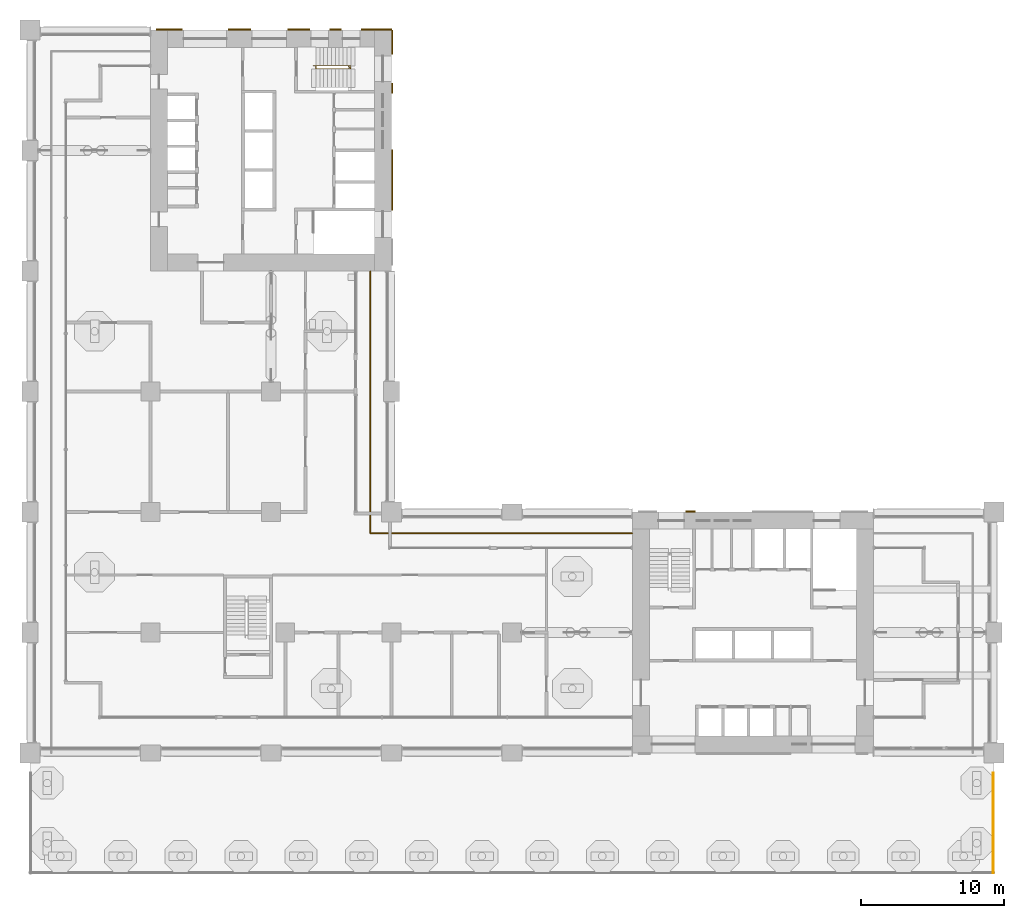
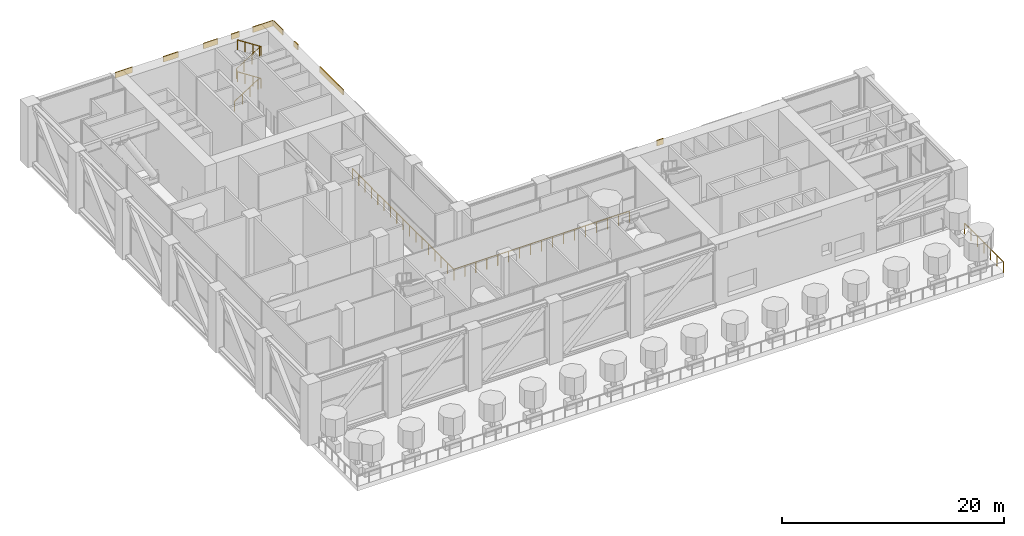
# One storey, part 24 of 28: 9 shading devices, 3 railings.
"""IFC4 building model written with IfcOpenShell, lengths in metres."""

from ifc_helpers import new_model, si_unit, direction, frame, origin, origin_2d, place, context, subcontext, project, spatial, rectangle, circle, extrude, material, layer, layer_set, type_object, element, save


model = new_model("IFC4")

# Units and contexts
model_context = context("Model", 3, precision=1e-05, world=origin(), true_north=direction((0.0, 1.0)))
body_context = subcontext(model_context, "Body", "Model", "MODEL_VIEW")
ifc_project = project(units=[si_unit("LENGTHUNIT", "METRE"), si_unit("AREAUNIT", "SQUARE_METRE"), si_unit("VOLUMEUNIT", "CUBIC_METRE"), si_unit("PLANEANGLEUNIT", "RADIAN"), si_unit("MASSUNIT", "GRAM", prefix="KILO")], contexts=[model_context])

# Site, building, storey
site_placement = place(None, origin())
site = spatial("IfcSite", under=ifc_project, at=site_placement, CompositionType="ELEMENT")
building_placement = place(site_placement, origin())
building = spatial("IfcBuilding", under=site, at=building_placement, Name="Vermilion Gate Residences", CompositionType="ELEMENT")
storey_placement = place(building_placement, frame((0.0, 0.0, 74.199951171875)))
storey = spatial("IfcBuildingStorey", under=building, at=storey_placement, Name="L18", CompositionType="ELEMENT", Elevation=74.199951171875)

# Railings
ifc_material_1 = material(Name="Stainless steel and toughened glass", Category="steel")
railing_type_1 = type_object("IfcRailingType", Name="LOGGIA GUARD STEEL AND GLASS 1200", PredefinedType="GUARDRAIL", material=ifc_material_1)
railing_1_placement = place(storey_placement, frame((41.97802734375, 23.72509765625, 0.0)))
element("IfcRailing", 1, at=railing_1_placement, inside=storey, type_object=railing_type_1, Name="Loggia guard", PredefinedType="GUARDRAIL", context=body_context, shape_type="SweptSolid", body=[
    extrude(circle(Radius=0.030029296875, at=origin_2d()), frame((0.0, 0.0, 1.169921875), z_axis=(-1.0, 0.0, 0.0), x_axis=(0.0, -1.0, 0.0)), (0.0, 0.0, 1.0), 18.2529296875),
    extrude(circle(Radius=0.030029296875, at=origin_2d()), frame((-18.2529296875, 0.0, 1.169921875), z_axis=(0.0, 1.0, 0.0), x_axis=(-1.0, 0.0, 0.0)), (0.0, 0.0, 1.0), 18.2529296875),
    extrude(circle(Radius=0.02490234375, at=origin_2d()), origin(), (0.0, 0.0, 1.0), 1.139892578125),
    extrude(circle(Radius=0.02490234375, at=origin_2d()), frame((-1.140869140625, 0.0, 0.0)), (0.0, 0.0, 1.0), 1.139892578125),
    extrude(circle(Radius=0.02490234375, at=origin_2d()), frame((-2.28173828125, 0.0, 0.0)), (0.0, 0.0, 1.0), 1.139892578125),
    extrude(circle(Radius=0.02490234375, at=origin_2d()), frame((-3.42236328125, 0.0, 0.0)), (0.0, 0.0, 1.0), 1.139892578125),
    extrude(circle(Radius=0.02490234375, at=origin_2d()), frame((-4.563232421875, 0.0, 0.0)), (0.0, 0.0, 1.0), 1.139892578125),
    extrude(circle(Radius=0.02490234375, at=origin_2d()), frame((-5.7041015625, 0.0, 0.0)), (0.0, 0.0, 1.0), 1.139892578125),
    extrude(circle(Radius=0.02490234375, at=origin_2d()), frame((-6.8447265625, 0.0, 0.0)), (0.0, 0.0, 1.0), 1.139892578125),
    extrude(circle(Radius=0.02490234375, at=origin_2d()), frame((-7.985595703125, 0.0, 0.0)), (0.0, 0.0, 1.0), 1.139892578125),
    extrude(circle(Radius=0.02490234375, at=origin_2d()), frame((-9.12646484375, 0.0, 0.0)), (0.0, 0.0, 1.0), 1.139892578125),
    extrude(circle(Radius=0.02490234375, at=origin_2d()), frame((-10.267333984375, 0.0, 0.0)), (0.0, 0.0, 1.0), 1.139892578125),
    extrude(circle(Radius=0.02490234375, at=origin_2d()), frame((-11.408203125, 0.0, 0.0)), (0.0, 0.0, 1.0), 1.139892578125),
    extrude(circle(Radius=0.02490234375, at=origin_2d()), frame((-12.548828125, 0.0, 0.0)), (0.0, 0.0, 1.0), 1.139892578125),
    extrude(circle(Radius=0.02490234375, at=origin_2d()), frame((-13.689697265625, 0.0, 0.0)), (0.0, 0.0, 1.0), 1.139892578125),
    extrude(circle(Radius=0.02490234375, at=origin_2d()), frame((-14.83056640625, 0.0, 0.0)), (0.0, 0.0, 1.0), 1.139892578125),
    extrude(circle(Radius=0.02490234375, at=origin_2d()), frame((-15.97119140625, 0.0, 0.0)), (0.0, 0.0, 1.0), 1.139892578125),
    extrude(circle(Radius=0.02490234375, at=origin_2d()), frame((-17.112060546875, 0.0, 0.0)), (0.0, 0.0, 1.0), 1.139892578125),
    extrude(circle(Radius=0.02490234375, at=origin_2d()), frame((-18.2529296875, 0.0, 0.0)), (0.0, 0.0, 1.0), 1.139892578125),
    extrude(circle(Radius=0.02490234375, at=origin_2d()), frame((-18.2529296875, 1.140869140625, 0.0)), (0.0, 0.0, 1.0), 1.139892578125),
    extrude(circle(Radius=0.02490234375, at=origin_2d()), frame((-18.2529296875, 2.28173828125, 0.0)), (0.0, 0.0, 1.0), 1.139892578125),
    extrude(circle(Radius=0.02490234375, at=origin_2d()), frame((-18.2529296875, 3.42236328125, 0.0)), (0.0, 0.0, 1.0), 1.139892578125),
    extrude(circle(Radius=0.02490234375, at=origin_2d()), frame((-18.2529296875, 4.563232421875, 0.0)), (0.0, 0.0, 1.0), 1.139892578125),
    extrude(circle(Radius=0.02490234375, at=origin_2d()), frame((-18.2529296875, 5.7041015625, 0.0)), (0.0, 0.0, 1.0), 1.139892578125),
    extrude(circle(Radius=0.02490234375, at=origin_2d()), frame((-18.2529296875, 6.8447265625, 0.0)), (0.0, 0.0, 1.0), 1.139892578125),
    extrude(circle(Radius=0.02490234375, at=origin_2d()), frame((-18.2529296875, 7.985595703125, 0.0)), (0.0, 0.0, 1.0), 1.139892578125),
    extrude(circle(Radius=0.02490234375, at=origin_2d()), frame((-18.2529296875, 9.12646484375, 0.0)), (0.0, 0.0, 1.0), 1.139892578125),
    extrude(circle(Radius=0.02490234375, at=origin_2d()), frame((-18.2529296875, 10.267333984375, 0.0)), (0.0, 0.0, 1.0), 1.139892578125),
    extrude(circle(Radius=0.02490234375, at=origin_2d()), frame((-18.2529296875, 11.408203125, 0.0)), (0.0, 0.0, 1.0), 1.139892578125),
    extrude(circle(Radius=0.02490234375, at=origin_2d()), frame((-18.2529296875, 12.548828125, 0.0)), (0.0, 0.0, 1.0), 1.139892578125),
    extrude(circle(Radius=0.02490234375, at=origin_2d()), frame((-18.2529296875, 13.689697265625, 0.0)), (0.0, 0.0, 1.0), 1.139892578125),
    extrude(circle(Radius=0.02490234375, at=origin_2d()), frame((-18.2529296875, 14.83056640625, 0.0)), (0.0, 0.0, 1.0), 1.139892578125),
    extrude(circle(Radius=0.02490234375, at=origin_2d()), frame((-18.2529296875, 15.97119140625, 0.0)), (0.0, 0.0, 1.0), 1.139892578125),
    extrude(circle(Radius=0.02490234375, at=origin_2d()), frame((-18.2529296875, 17.112060546875, 0.0)), (0.0, 0.0, 1.0), 1.139892578125),
    extrude(circle(Radius=0.02490234375, at=origin_2d()), frame((-18.2529296875, 18.2529296875, 0.0)), (0.0, 0.0, 1.0), 1.139892578125),
])
railing_2_placement = place(storey_placement, frame((67.14990234375, 0.02197265625, 0.0)))
element("IfcRailing", 2, at=railing_2_placement, inside=storey, type_object=railing_type_1, Name="Loggia guard", PredefinedType="GUARDRAIL", context=body_context, shape_type="SweptSolid", body=[
    extrude(circle(Radius=0.030029296875, at=origin_2d()), frame((0.0, 0.0, 1.169921875), z_axis=(0.0, 1.0, 0.0), x_axis=(-1.0, 0.0, 0.0)), (0.0, 0.0, 1.0), 6.98095703125),
    extrude(circle(Radius=0.02490234375, at=origin_2d()), origin(), (0.0, 0.0, 1.0), 1.139892578125),
    extrude(circle(Radius=0.02490234375, at=origin_2d()), frame((0.0, 1.16357421875, 0.0)), (0.0, 0.0, 1.0), 1.139892578125),
    extrude(circle(Radius=0.02490234375, at=origin_2d()), frame((0.0, 2.326904296875, 0.0)), (0.0, 0.0, 1.0), 1.139892578125),
    extrude(circle(Radius=0.02490234375, at=origin_2d()), frame((0.0, 3.490478515625, 0.0)), (0.0, 0.0, 1.0), 1.139892578125),
    extrude(circle(Radius=0.02490234375, at=origin_2d()), frame((0.0, 4.654052734375, 0.0)), (0.0, 0.0, 1.0), 1.139892578125),
    extrude(circle(Radius=0.02490234375, at=origin_2d()), frame((0.0, 5.8173828125, 0.0)), (0.0, 0.0, 1.0), 1.139892578125),
    extrude(circle(Radius=0.02490234375, at=origin_2d()), frame((0.0, 6.98095703125, 0.0)), (0.0, 0.0, 1.0), 1.139892578125),
])
ifc_material_2 = material(Name="Steel S355", Category="steel")
railing_type_2 = type_object("IfcRailingType", Name="STAIR GUARD 1100 STEEL", PredefinedType="GUARDRAIL", material=ifc_material_2)
railing_3_placement = place(storey_placement, frame((19.75, 56.300048828125, 0.175048828125)))
element("IfcRailing", 3, at=railing_3_placement, inside=storey, type_object=railing_type_2, Name="Stair well guard STB1-18", PredefinedType="GUARDRAIL", context=body_context, shape_type="SweptSolid", body=[
    extrude(circle(Radius=0.02392578125, at=origin_2d()), frame((0.0, 0.0, 1.076171875), z_axis=(0.839153699163, 0.0, 0.543894354798), x_axis=(0.0, 1.0, 0.0)), (0.0, 0.0, 1.0), 2.895751953125),
    extrude(circle(Radius=0.02392578125, at=origin_2d()), frame((2.429931640625, 0.0, 2.65087890625), z_axis=(0.561173083408, -0.622765251099, 0.545204743636), x_axis=(0.74288808428, 0.669415636384, 0.0)), (0.0, 0.0, 1.0), 0.321044921875),
    extrude(circle(Radius=0.02392578125, at=origin_2d()), frame((2.610107421875, -0.199951171875, 2.826171875), z_axis=(-0.839178637674, 0.0, 0.543855876194), x_axis=(0.0, -1.0, 0.0)), (0.0, 0.0, 1.0), 2.89599609375),
    extrude(circle(Radius=0.02392578125, at=origin_2d()), frame((0.179931640625, -0.199951171875, 4.40087890625), z_axis=(0.0, 0.752405939678, 0.658699705433), x_axis=(-1.0, 0.0, 0.0)), (0.0, 0.0, 1.0), 0.265869140625),
    extrude(circle(Radius=0.02392578125, at=origin_2d()), frame((0.179931640625, 0.0, 4.576171875), z_axis=(0.839178637674, 0.0, 0.543855876194), x_axis=(0.0, 1.0, 0.0)), (0.0, 0.0, 1.0), 2.89599609375),
    extrude(circle(Radius=0.02392578125, at=origin_2d()), frame((2.610107421875, 0.0, 6.15087890625), z_axis=(0.0, -0.752405939678, 0.658699705433), x_axis=(1.0, 0.0, 0.0)), (0.0, 0.0, 1.0), 0.265869140625),
    extrude(circle(Radius=0.02392578125, at=origin_2d()), frame((2.610107421875, -0.199951171875, 6.326171875), z_axis=(-0.839178637674, 0.0, 0.543855876194), x_axis=(0.0, -1.0, 0.0)), (0.0, 0.0, 1.0), 2.89599609375),
    extrude(circle(Radius=0.02099609375, at=origin_2d()), origin(), (0.0, 0.0, 1.0), 1.052001953125),
    extrude(circle(Radius=0.02099609375, at=origin_2d()), frame((0.81005859375, 0.0, 0.52490234375)), (0.0, 0.0, 1.0), 1.052001953125),
    extrude(circle(Radius=0.02099609375, at=origin_2d()), frame((1.619873046875, 0.0, 1.050048828125)), (0.0, 0.0, 1.0), 1.052001953125),
    extrude(circle(Radius=0.02099609375, at=origin_2d()), frame((2.429931640625, 0.0, 1.574951171875)), (0.0, 0.0, 1.0), 1.052001953125),
    extrude(circle(Radius=0.02099609375, at=origin_2d()), frame((2.610107421875, -0.199951171875, 1.75)), (0.0, 0.0, 1.0), 1.052001953125),
    extrude(circle(Radius=0.02099609375, at=origin_2d()), frame((1.800048828125, -0.199951171875, 2.27490234375)), (0.0, 0.0, 1.0), 1.052001953125),
    extrude(circle(Radius=0.02099609375, at=origin_2d()), frame((0.989990234375, -0.199951171875, 2.800048828125)), (0.0, 0.0, 1.0), 1.052001953125),
    extrude(circle(Radius=0.02099609375, at=origin_2d()), frame((0.179931640625, -0.199951171875, 3.324951171875)), (0.0, 0.0, 1.0), 1.052001953125),
    extrude(circle(Radius=0.02099609375, at=origin_2d()), frame((0.179931640625, 0.0, 3.5)), (0.0, 0.0, 1.0), 1.052001953125),
    extrude(circle(Radius=0.02099609375, at=origin_2d()), frame((0.989990234375, 0.0, 4.02490234375)), (0.0, 0.0, 1.0), 1.052001953125),
    extrude(circle(Radius=0.02099609375, at=origin_2d()), frame((1.800048828125, 0.0, 4.550048828125)), (0.0, 0.0, 1.0), 1.052001953125),
    extrude(circle(Radius=0.02099609375, at=origin_2d()), frame((2.610107421875, 0.0, 5.074951171875)), (0.0, 0.0, 1.0), 1.052001953125),
    extrude(circle(Radius=0.02099609375, at=origin_2d()), frame((2.610107421875, -0.199951171875, 5.25)), (0.0, 0.0, 1.0), 1.052001953125),
    extrude(circle(Radius=0.02099609375, at=origin_2d()), frame((1.800048828125, -0.199951171875, 5.77490234375)), (0.0, 0.0, 1.0), 1.052001953125),
    extrude(circle(Radius=0.02099609375, at=origin_2d()), frame((0.989990234375, -0.199951171875, 6.300048828125)), (0.0, 0.0, 1.0), 1.052001953125),
    extrude(circle(Radius=0.02099609375, at=origin_2d()), frame((0.179931640625, -0.199951171875, 6.824951171875)), (0.0, 0.0, 1.0), 1.052001953125),
])

# Shading devices
ifc_material_3 = material(Name="Extruded terracotta", Category="masonry")
ifc_layer = layer(ifc_material_3, 0.10009765625)
ifc_layer_set = layer_set([ifc_layer], Name="TERRACOTTA SPANDREL BAND 600 X 100")
shading_device_type = type_object("IfcShadingDeviceType", Name="TERRACOTTA SPANDREL BAND 600 X 100", PredefinedType="USERDEFINED", material=ifc_layer_set)
shading_device_1_placement = place(storey_placement, frame((46.044921875, 25.25, 6.1201171875), z_axis=(0.0, 0.0, 1.0), x_axis=(1.0, 0.0, 0.0)))
element("IfcShadingDevice", 4, at=shading_device_1_placement, inside=storey, type_object=shading_device_type, Name="SPANDREL BAND", ObjectType="BAND", PredefinedType="USERDEFINED", context=body_context, shape_type="SweptSolid", body=[
    extrude(rectangle(XDim=0.68994140625, YDim=0.10009765625, at=origin_2d()), origin(), (0.0, 0.0, 1.0), 0.60009765625),
])
shading_device_2_placement = place(storey_placement, frame((9.702392578125, 58.85009765625, 6.1201171875), z_axis=(0.0, 0.0, 1.0), x_axis=(1.0, 0.0, 0.0)))
element("IfcShadingDevice", 5, at=shading_device_2_placement, inside=storey, type_object=shading_device_type, Name="SPANDREL BAND", ObjectType="BAND", PredefinedType="USERDEFINED", context=body_context, shape_type="SweptSolid", body=[
    extrude(rectangle(XDim=1.804931640625, YDim=0.10009765625, at=origin_2d()), origin(), (0.0, 0.0, 1.0), 0.60009765625),
])
shading_device_3_placement = place(storey_placement, frame((14.590087890625, 58.85009765625, 6.1201171875), z_axis=(0.0, 0.0, 1.0), x_axis=(1.0, 0.0, 0.0)))
element("IfcShadingDevice", 6, at=shading_device_3_placement, inside=storey, type_object=shading_device_type, Name="SPANDREL BAND", ObjectType="BAND", PredefinedType="USERDEFINED", context=body_context, shape_type="SweptSolid", body=[
    extrude(rectangle(XDim=1.570068359375, YDim=0.10009765625, at=origin_2d()), origin(), (0.0, 0.0, 1.0), 0.60009765625),
])
shading_device_4_placement = place(storey_placement, frame((18.734130859375, 58.85009765625, 6.1201171875), z_axis=(0.0, 0.0, 1.0), x_axis=(1.0, 0.0, 0.0)))
element("IfcShadingDevice", 7, at=shading_device_4_placement, inside=storey, type_object=shading_device_type, Name="SPANDREL BAND", ObjectType="BAND", PredefinedType="USERDEFINED", context=body_context, shape_type="SweptSolid", body=[
    extrude(rectangle(XDim=1.518310546875, YDim=0.10009765625, at=origin_2d()), origin(), (0.0, 0.0, 1.0), 0.60009765625),
])
shading_device_5_placement = place(storey_placement, frame((21.294921875, 58.85009765625, 6.1201171875), z_axis=(0.0, 0.0, 1.0), x_axis=(1.0, 0.0, 0.0)))
element("IfcShadingDevice", 8, at=shading_device_5_placement, inside=storey, type_object=shading_device_type, Name="SPANDREL BAND", ObjectType="BAND", PredefinedType="USERDEFINED", context=body_context, shape_type="SweptSolid", body=[
    extrude(rectangle(XDim=0.803466796875, YDim=0.10009765625, at=origin_2d()), origin(), (0.0, 0.0, 1.0), 0.60009765625),
])
shading_device_6_placement = place(storey_placement, frame((24.1484375, 58.85009765625, 6.1201171875), z_axis=(0.0, 0.0, 1.0), x_axis=(1.0, 0.0, 0.0)))
element("IfcShadingDevice", 9, at=shading_device_6_placement, inside=storey, type_object=shading_device_type, Name="SPANDREL BAND", ObjectType="BAND", PredefinedType="USERDEFINED", context=body_context, shape_type="SweptSolid", body=[
    extrude(rectangle(XDim=2.103271484375, YDim=0.10009765625, at=origin_2d()), origin(), (0.0, 0.0, 1.0), 0.60009765625),
])
shading_device_7_placement = place(storey_placement, frame((25.25, 48.35009765625, 6.1201171875), z_axis=(0.0, 0.0, 1.0), x_axis=(0.0, 1.0, 0.0)))
element("IfcShadingDevice", 10, at=shading_device_7_placement, inside=storey, type_object=shading_device_type, Name="SPANDREL BAND", ObjectType="BAND", PredefinedType="USERDEFINED", context=body_context, shape_type="SweptSolid", body=[
    extrude(rectangle(XDim=4.199951171875, YDim=0.10009765625, at=origin_2d()), origin(), (0.0, 0.0, 1.0), 0.60009765625),
])
shading_device_8_placement = place(storey_placement, frame((25.25, 54.7548828125, 6.1201171875), z_axis=(0.0, 0.0, 1.0), x_axis=(0.0, 1.0, 0.0)))
element("IfcShadingDevice", 11, at=shading_device_8_placement, inside=storey, type_object=shading_device_type, Name="SPANDREL BAND", ObjectType="BAND", PredefinedType="USERDEFINED", context=body_context, shape_type="SweptSolid", body=[
    extrude(rectangle(XDim=0.68994140625, YDim=0.10009765625, at=origin_2d()), origin(), (0.0, 0.0, 1.0), 0.60009765625),
])
shading_device_9_placement = place(storey_placement, frame((25.25, 57.949951171875, 6.1201171875), z_axis=(0.0, 0.0, 1.0), x_axis=(0.0, 1.0, 0.0)))
element("IfcShadingDevice", 12, at=shading_device_9_placement, inside=storey, type_object=shading_device_type, Name="SPANDREL BAND", ObjectType="BAND", PredefinedType="USERDEFINED", context=body_context, shape_type="SweptSolid", body=[
    extrude(rectangle(XDim=1.699951171875, YDim=0.10009765625, at=origin_2d()), origin(), (0.0, 0.0, 1.0), 0.60009765625),
])

save(model, "model.ifc")
